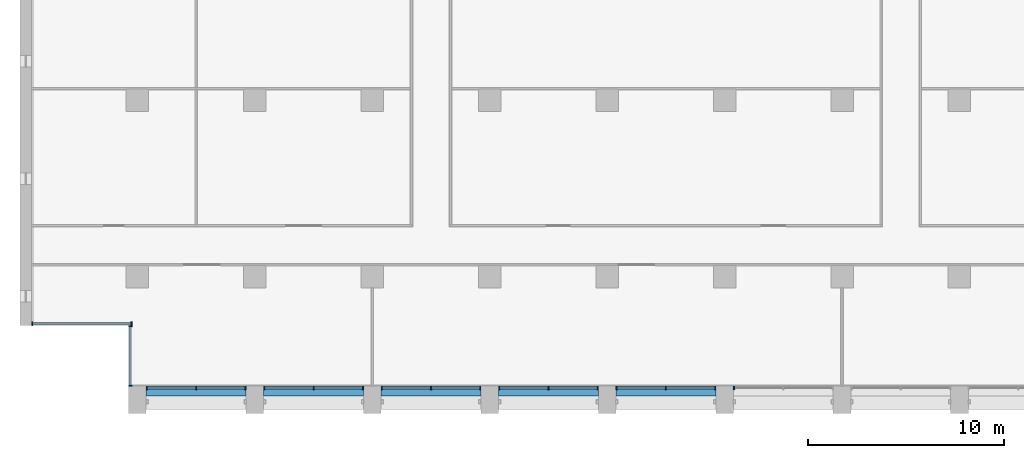
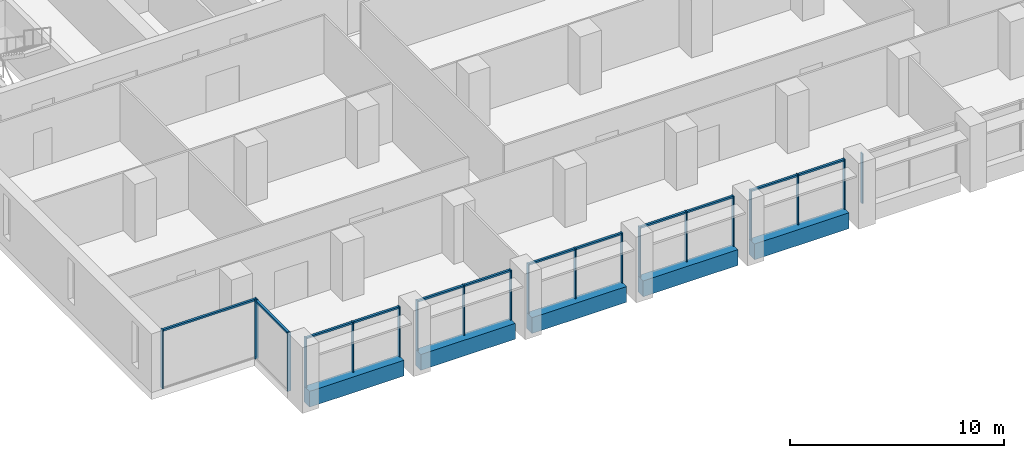
# One storey, part 2 of 16: 32 members, 5 beams, 8 elements without a shape of their own.
"""IFC4 building model written with IfcOpenShell, lengths in metres."""

from ifc_helpers import new_model, si_unit, direction, frame, origin, origin_2d, place, context, subcontext, project, spatial, rectangle, extrude, material, material_profile, profile_set, type_object, element, aggregate, save


model = new_model("IFC4")

# Units and contexts
model_context = context("Model", 3, precision=1e-05, world=origin(), true_north=direction((0.0, 1.0)))
body_context = subcontext(model_context, "Body", "Model", "MODEL_VIEW")
ifc_project = project(units=[si_unit("LENGTHUNIT", "METRE"), si_unit("AREAUNIT", "SQUARE_METRE"), si_unit("VOLUMEUNIT", "CUBIC_METRE"), si_unit("PLANEANGLEUNIT", "RADIAN"), si_unit("MASSUNIT", "GRAM", prefix="KILO")], contexts=[model_context])

# Site, building, storey
site_placement = place(None, origin())
site = spatial("IfcSite", under=ifc_project, at=site_placement, CompositionType="ELEMENT")
building_placement = place(site_placement, origin())
building = spatial("IfcBuilding", under=site, at=building_placement, Name="Calvaro Tower", CompositionType="ELEMENT")
storey_placement = place(building_placement, frame((0.0, 0.0, 181.75)))
storey = spatial("IfcBuildingStorey", under=building, at=storey_placement, Name="L45", CompositionType="ELEMENT", Elevation=181.75)

# Curtain wall, members
ifc_material_1 = material(Name="Anodised aluminium", Category="aluminium")
curtain_wall_type = type_object("IfcCurtainWallType", Name="Office curtain wall, upper zone", PredefinedType="NOTDEFINED", material=ifc_material_1)
curtain_wall_1_placement = place(storey_placement, origin())
curtain_wall_1 = element("IfcCurtainWall", 1, at=curtain_wall_1_placement, inside=storey, type_object=curtain_wall_type, Name="CW3 south curtain wall", PredefinedType="NOTDEFINED")
ifc_material_2 = material(Name="Anodised aluminium", Category="aluminium")
ifc_material_profile_1 = material_profile(ifc_material_2, rectangle(XDim=0.179931640625, YDim=0.06005859375, at=origin_2d()), Name="Mullion S3 60 x 180")
ifc_profile_set_1 = profile_set([ifc_material_profile_1], Name="Anodised aluminium")
member_type_1 = type_object("IfcMemberType", Name="Mullion S3 60 x 180", PredefinedType="MULLION", material=ifc_profile_set_1)
member_1_placement = place(storey_placement, frame((12.47998046875, 4.31005859375, 0.0), z_axis=(0.0, 0.0, 1.0), x_axis=(0.0, 1.0, 0.0)))
member_1 = element("IfcMember", 2, at=member_1_placement, type_object=member_type_1, Name="CW3 mullion 1", PredefinedType="MULLION", context=body_context, shape_type="SweptSolid", body=[
    extrude(rectangle(XDim=0.179931640625, YDim=0.06005859375, at=origin_2d()), origin(), (0.0, 0.0, 1.0), 2.85009765625),
])
member_2_placement = place(storey_placement, frame((15.0, 4.31005859375, 0.0), z_axis=(0.0, 0.0, 1.0), x_axis=(0.0, 1.0, 0.0)))
member_2 = element("IfcMember", 3, at=member_2_placement, type_object=member_type_1, Name="CW3 mullion 2", PredefinedType="MULLION", context=body_context, shape_type="SweptSolid", body=[
    extrude(rectangle(XDim=0.179931640625, YDim=0.06005859375, at=origin_2d()), origin(), (0.0, 0.0, 1.0), 2.85009765625),
])
member_3_placement = place(storey_placement, frame((17.52001953125, 4.31005859375, 0.0), z_axis=(0.0, 0.0, 1.0), x_axis=(0.0, 1.0, 0.0)))
member_3 = element("IfcMember", 4, at=member_3_placement, type_object=member_type_1, Name="CW3 mullion 3", PredefinedType="MULLION", context=body_context, shape_type="SweptSolid", body=[
    extrude(rectangle(XDim=0.179931640625, YDim=0.06005859375, at=origin_2d()), origin(), (0.0, 0.0, 1.0), 2.85009765625),
])

curtain_wall_2_placement = place(storey_placement, origin())
curtain_wall_2 = element("IfcCurtainWall", 5, at=curtain_wall_2_placement, inside=storey, type_object=curtain_wall_type, Name="CW3 south curtain wall", PredefinedType="NOTDEFINED")
member_4_placement = place(storey_placement, frame((18.47998046875, 4.31005859375, 0.0), z_axis=(0.0, 0.0, 1.0), x_axis=(0.0, 1.0, 0.0)))
member_4 = element("IfcMember", 6, at=member_4_placement, type_object=member_type_1, Name="CW3 mullion 1", PredefinedType="MULLION", context=body_context, shape_type="SweptSolid", body=[
    extrude(rectangle(XDim=0.179931640625, YDim=0.06005859375, at=origin_2d()), origin(), (0.0, 0.0, 1.0), 2.85009765625),
])
member_5_placement = place(storey_placement, frame((21.0, 4.31005859375, 0.0), z_axis=(0.0, 0.0, 1.0), x_axis=(0.0, 1.0, 0.0)))
member_5 = element("IfcMember", 7, at=member_5_placement, type_object=member_type_1, Name="CW3 mullion 2", PredefinedType="MULLION", context=body_context, shape_type="SweptSolid", body=[
    extrude(rectangle(XDim=0.179931640625, YDim=0.06005859375, at=origin_2d()), origin(), (0.0, 0.0, 1.0), 2.85009765625),
])
member_6_placement = place(storey_placement, frame((23.52001953125, 4.31005859375, 0.0), z_axis=(0.0, 0.0, 1.0), x_axis=(0.0, 1.0, 0.0)))
member_6 = element("IfcMember", 8, at=member_6_placement, type_object=member_type_1, Name="CW3 mullion 3", PredefinedType="MULLION", context=body_context, shape_type="SweptSolid", body=[
    extrude(rectangle(XDim=0.179931640625, YDim=0.06005859375, at=origin_2d()), origin(), (0.0, 0.0, 1.0), 2.85009765625),
])

curtain_wall_3_placement = place(storey_placement, origin())
curtain_wall_3 = element("IfcCurtainWall", 9, at=curtain_wall_3_placement, inside=storey, type_object=curtain_wall_type, Name="CW3 south curtain wall", PredefinedType="NOTDEFINED")
member_7_placement = place(storey_placement, frame((24.47998046875, 4.31005859375, 0.0), z_axis=(0.0, 0.0, 1.0), x_axis=(0.0, 1.0, 0.0)))
member_7 = element("IfcMember", 10, at=member_7_placement, type_object=member_type_1, Name="CW3 mullion 1", PredefinedType="MULLION", context=body_context, shape_type="SweptSolid", body=[
    extrude(rectangle(XDim=0.179931640625, YDim=0.06005859375, at=origin_2d()), origin(), (0.0, 0.0, 1.0), 2.85009765625),
])
member_8_placement = place(storey_placement, frame((27.0, 4.31005859375, 0.0), z_axis=(0.0, 0.0, 1.0), x_axis=(0.0, 1.0, 0.0)))
member_8 = element("IfcMember", 11, at=member_8_placement, type_object=member_type_1, Name="CW3 mullion 2", PredefinedType="MULLION", context=body_context, shape_type="SweptSolid", body=[
    extrude(rectangle(XDim=0.179931640625, YDim=0.06005859375, at=origin_2d()), origin(), (0.0, 0.0, 1.0), 2.85009765625),
])
member_9_placement = place(storey_placement, frame((29.52001953125, 4.31005859375, 0.0), z_axis=(0.0, 0.0, 1.0), x_axis=(0.0, 1.0, 0.0)))
member_9 = element("IfcMember", 12, at=member_9_placement, type_object=member_type_1, Name="CW3 mullion 3", PredefinedType="MULLION", context=body_context, shape_type="SweptSolid", body=[
    extrude(rectangle(XDim=0.179931640625, YDim=0.06005859375, at=origin_2d()), origin(), (0.0, 0.0, 1.0), 2.85009765625),
])

curtain_wall_4_placement = place(storey_placement, origin())
curtain_wall_4 = element("IfcCurtainWall", 13, at=curtain_wall_4_placement, inside=storey, type_object=curtain_wall_type, Name="CW3 south curtain wall", PredefinedType="NOTDEFINED")
member_10_placement = place(storey_placement, frame((30.47998046875, 4.31005859375, 0.0), z_axis=(0.0, 0.0, 1.0), x_axis=(0.0, 1.0, 0.0)))
member_10 = element("IfcMember", 14, at=member_10_placement, type_object=member_type_1, Name="CW3 mullion 1", PredefinedType="MULLION", context=body_context, shape_type="SweptSolid", body=[
    extrude(rectangle(XDim=0.179931640625, YDim=0.06005859375, at=origin_2d()), origin(), (0.0, 0.0, 1.0), 2.85009765625),
])
member_11_placement = place(storey_placement, frame((33.0, 4.31005859375, 0.0), z_axis=(0.0, 0.0, 1.0), x_axis=(0.0, 1.0, 0.0)))
member_11 = element("IfcMember", 15, at=member_11_placement, type_object=member_type_1, Name="CW3 mullion 2", PredefinedType="MULLION", context=body_context, shape_type="SweptSolid", body=[
    extrude(rectangle(XDim=0.179931640625, YDim=0.06005859375, at=origin_2d()), origin(), (0.0, 0.0, 1.0), 2.85009765625),
])
member_12_placement = place(storey_placement, frame((35.52001953125, 4.31005859375, 0.0), z_axis=(0.0, 0.0, 1.0), x_axis=(0.0, 1.0, 0.0)))
member_12 = element("IfcMember", 16, at=member_12_placement, type_object=member_type_1, Name="CW3 mullion 3", PredefinedType="MULLION", context=body_context, shape_type="SweptSolid", body=[
    extrude(rectangle(XDim=0.179931640625, YDim=0.06005859375, at=origin_2d()), origin(), (0.0, 0.0, 1.0), 2.85009765625),
])

curtain_wall_5_placement = place(storey_placement, origin())
curtain_wall_5 = element("IfcCurtainWall", 17, at=curtain_wall_5_placement, inside=storey, type_object=curtain_wall_type, Name="CW3 south curtain wall", PredefinedType="NOTDEFINED")
member_13_placement = place(storey_placement, frame((36.47998046875, 4.31005859375, 0.0), z_axis=(0.0, 0.0, 1.0), x_axis=(0.0, 1.0, 0.0)))
member_13 = element("IfcMember", 18, at=member_13_placement, type_object=member_type_1, Name="CW3 mullion 1", PredefinedType="MULLION", context=body_context, shape_type="SweptSolid", body=[
    extrude(rectangle(XDim=0.179931640625, YDim=0.06005859375, at=origin_2d()), origin(), (0.0, 0.0, 1.0), 2.85009765625),
])
member_14_placement = place(storey_placement, frame((39.0, 4.31005859375, 0.0), z_axis=(0.0, 0.0, 1.0), x_axis=(0.0, 1.0, 0.0)))
member_14 = element("IfcMember", 19, at=member_14_placement, type_object=member_type_1, Name="CW3 mullion 2", PredefinedType="MULLION", context=body_context, shape_type="SweptSolid", body=[
    extrude(rectangle(XDim=0.179931640625, YDim=0.06005859375, at=origin_2d()), origin(), (0.0, 0.0, 1.0), 2.85009765625),
])
member_15_placement = place(storey_placement, frame((41.52001953125, 4.31005859375, 0.0), z_axis=(0.0, 0.0, 1.0), x_axis=(0.0, 1.0, 0.0)))
member_15 = element("IfcMember", 20, at=member_15_placement, type_object=member_type_1, Name="CW3 mullion 3", PredefinedType="MULLION", context=body_context, shape_type="SweptSolid", body=[
    extrude(rectangle(XDim=0.179931640625, YDim=0.06005859375, at=origin_2d()), origin(), (0.0, 0.0, 1.0), 2.85009765625),
])

# Curtain wall, member
curtain_wall_6_placement = place(storey_placement, origin())
curtain_wall_6 = element("IfcCurtainWall", 21, at=curtain_wall_6_placement, inside=storey, type_object=curtain_wall_type, Name="CW3 south curtain wall", PredefinedType="NOTDEFINED")
member_16_placement = place(storey_placement, frame((42.47998046875, 4.31005859375, 0.0), z_axis=(0.0, 0.0, 1.0), x_axis=(0.0, 1.0, 0.0)))
member_16 = element("IfcMember", 22, at=member_16_placement, type_object=member_type_1, Name="CW3 mullion 1", PredefinedType="MULLION", context=body_context, shape_type="SweptSolid", body=[
    extrude(rectangle(XDim=0.179931640625, YDim=0.06005859375, at=origin_2d()), origin(), (0.0, 0.0, 1.0), 2.85009765625),
])
aggregate(curtain_wall_6, [member_16])

# Curtain wall, members
curtain_wall_7_placement = place(storey_placement, origin())
curtain_wall_7 = element("IfcCurtainWall", 23, at=curtain_wall_7_placement, inside=storey, type_object=curtain_wall_type, Name="CW3 corner curtain wall", PredefinedType="NOTDEFINED")
member_17_placement = place(storey_placement, frame((11.639892578125, 4.429931640625, 0.0), z_axis=(0.0, 0.0, 1.0), x_axis=(-1.0, 0.0, 0.0)))
member_17 = element("IfcMember", 24, at=member_17_placement, type_object=member_type_1, Name="CW3 mullion 1", PredefinedType="MULLION", context=body_context, shape_type="SweptSolid", body=[
    extrude(rectangle(XDim=0.179931640625, YDim=0.06005859375, at=origin_2d()), origin(), (0.0, 0.0, 1.0), 3.35009765625),
])
member_18_placement = place(storey_placement, frame((11.639892578125, 7.469970703125, 0.0), z_axis=(0.0, 0.0, 1.0), x_axis=(-1.0, 0.0, 0.0)))
member_18 = element("IfcMember", 25, at=member_18_placement, type_object=member_type_1, Name="CW3 mullion 2", PredefinedType="MULLION", context=body_context, shape_type="SweptSolid", body=[
    extrude(rectangle(XDim=0.179931640625, YDim=0.06005859375, at=origin_2d()), origin(), (0.0, 0.0, 1.0), 3.35009765625),
])

curtain_wall_8_placement = place(storey_placement, origin())
curtain_wall_8 = element("IfcCurtainWall", 26, at=curtain_wall_8_placement, inside=storey, type_object=curtain_wall_type, Name="CW3 corner curtain wall", PredefinedType="NOTDEFINED")
member_19_placement = place(storey_placement, frame((6.6298828125, 7.590087890625, 0.0), z_axis=(0.0, 0.0, 1.0), x_axis=(0.0, 1.0, 0.0)))
member_19 = element("IfcMember", 27, at=member_19_placement, type_object=member_type_1, Name="CW3 mullion 1", PredefinedType="MULLION", context=body_context, shape_type="SweptSolid", body=[
    extrude(rectangle(XDim=0.179931640625, YDim=0.06005859375, at=origin_2d()), origin(), (0.0, 0.0, 1.0), 3.35009765625),
])
member_20_placement = place(storey_placement, frame((11.699951171875, 7.590087890625, 0.0), z_axis=(0.0, 0.0, 1.0), x_axis=(0.0, 1.0, 0.0)))
member_20 = element("IfcMember", 28, at=member_20_placement, type_object=member_type_1, Name="CW3 mullion 2", PredefinedType="MULLION", context=body_context, shape_type="SweptSolid", body=[
    extrude(rectangle(XDim=0.179931640625, YDim=0.06005859375, at=origin_2d()), origin(), (0.0, 0.0, 1.0), 3.35009765625),
])

# Beams
ifc_material_3 = material(Name="Concrete C50/60 precast", Category="concrete")
ifc_material_profile_2 = material_profile(ifc_material_3, rectangle(XDim=0.5, YDim=0.89990234375, at=origin_2d()), Name="RC 500x900")
ifc_profile_set_2 = profile_set([ifc_material_profile_2], Name="Concrete C50/60 precast")
beam_type = type_object("IfcBeamType", Name="Spandrel beam 500x900 C50/60", PredefinedType="SPANDREL", material=ifc_profile_set_2)
for number, where, z_axis, x_axis, name in (
    (29, (12.449951171875, 4.14990234375, -0.449951171875), (1.0, 0.0, 0.0), (0.0, 1.0, 0.0), "Spandrel beam"),
    (30, (18.449951171875, 4.14990234375, -0.449951171875), (1.0, 0.0, 0.0), (0.0, 1.0, 0.0), "Spandrel beam"),
    (31, (24.449951171875, 4.14990234375, -0.449951171875), (1.0, 0.0, 0.0), (0.0, 1.0, 0.0), "Spandrel beam"),
    (32, (30.449951171875, 4.14990234375, -0.449951171875), (1.0, 0.0, 0.0), (0.0, 1.0, 0.0), "Spandrel beam"),
    (33, (36.449951171875, 4.14990234375, -0.449951171875), (1.0, 0.0, 0.0), (0.0, 1.0, 0.0), "Spandrel beam"),
):
    element("IfcBeam", number, at=place(storey_placement, frame(where, z_axis=z_axis, x_axis=x_axis)), inside=storey, type_object=beam_type, Name=name, PredefinedType="SPANDREL", context=body_context, shape_type="SweptSolid", body=[
        extrude(rectangle(XDim=0.5, YDim=0.89990234375, at=origin_2d()), origin(), (0.0, 0.0, 1.0), 5.10009765625),
    ])

# Member
ifc_material_4 = material(Name="Anodised aluminium", Category="aluminium")
ifc_material_profile_3 = material_profile(ifc_material_4, rectangle(XDim=0.1201171875, YDim=0.10009765625, at=origin_2d()), Name="Transom S3 100 x 120")
ifc_profile_set_3 = profile_set([ifc_material_profile_3], Name="Anodised aluminium")
member_type_2 = type_object("IfcMemberType", Name="Transom S3 100 x 120", PredefinedType="USERDEFINED", material=ifc_profile_set_3)
member_21_placement = place(storey_placement, frame((12.510009765625, 4.31005859375, 2.800048828125), z_axis=(1.0, 0.0, 0.0), x_axis=(0.0, 1.0, 0.0)))
member_21 = element("IfcMember", 34, at=member_21_placement, type_object=member_type_2, Name="CW3 transom 1.1", ObjectType="TRANSOM", PredefinedType="USERDEFINED", context=body_context, shape_type="SweptSolid", body=[
    extrude(rectangle(XDim=0.1201171875, YDim=0.10009765625, at=origin_2d()), origin(), (0.0, 0.0, 1.0), 2.4599609375),
])

member_22_placement = place(storey_placement, frame((15.030029296875, 4.31005859375, 2.800048828125), z_axis=(1.0, 0.0, 0.0), x_axis=(0.0, 1.0, 0.0)))
member_22 = element("IfcMember", 35, at=member_22_placement, type_object=member_type_2, Name="CW3 transom 2.1", ObjectType="TRANSOM", PredefinedType="USERDEFINED", context=body_context, shape_type="SweptSolid", body=[
    extrude(rectangle(XDim=0.1201171875, YDim=0.10009765625, at=origin_2d()), origin(), (0.0, 0.0, 1.0), 2.4599609375),
])

aggregate(curtain_wall_1, [member_1, member_2, member_3, member_21, member_22])

member_23_placement = place(storey_placement, frame((18.510009765625, 4.31005859375, 2.800048828125), z_axis=(1.0, 0.0, 0.0), x_axis=(0.0, 1.0, 0.0)))
member_23 = element("IfcMember", 36, at=member_23_placement, type_object=member_type_2, Name="CW3 transom 1.1", ObjectType="TRANSOM", PredefinedType="USERDEFINED", context=body_context, shape_type="SweptSolid", body=[
    extrude(rectangle(XDim=0.1201171875, YDim=0.10009765625, at=origin_2d()), origin(), (0.0, 0.0, 1.0), 2.4599609375),
])

member_24_placement = place(storey_placement, frame((21.030029296875, 4.31005859375, 2.800048828125), z_axis=(1.0, 0.0, 0.0), x_axis=(0.0, 1.0, 0.0)))
member_24 = element("IfcMember", 37, at=member_24_placement, type_object=member_type_2, Name="CW3 transom 2.1", ObjectType="TRANSOM", PredefinedType="USERDEFINED", context=body_context, shape_type="SweptSolid", body=[
    extrude(rectangle(XDim=0.1201171875, YDim=0.10009765625, at=origin_2d()), origin(), (0.0, 0.0, 1.0), 2.4599609375),
])

aggregate(curtain_wall_2, [member_4, member_5, member_6, member_23, member_24])

member_25_placement = place(storey_placement, frame((24.510009765625, 4.31005859375, 2.800048828125), z_axis=(1.0, 0.0, 0.0), x_axis=(0.0, 1.0, 0.0)))
member_25 = element("IfcMember", 38, at=member_25_placement, type_object=member_type_2, Name="CW3 transom 1.1", ObjectType="TRANSOM", PredefinedType="USERDEFINED", context=body_context, shape_type="SweptSolid", body=[
    extrude(rectangle(XDim=0.1201171875, YDim=0.10009765625, at=origin_2d()), origin(), (0.0, 0.0, 1.0), 2.4599609375),
])

member_26_placement = place(storey_placement, frame((27.030029296875, 4.31005859375, 2.800048828125), z_axis=(1.0, 0.0, 0.0), x_axis=(0.0, 1.0, 0.0)))
member_26 = element("IfcMember", 39, at=member_26_placement, type_object=member_type_2, Name="CW3 transom 2.1", ObjectType="TRANSOM", PredefinedType="USERDEFINED", context=body_context, shape_type="SweptSolid", body=[
    extrude(rectangle(XDim=0.1201171875, YDim=0.10009765625, at=origin_2d()), origin(), (0.0, 0.0, 1.0), 2.4599609375),
])

aggregate(curtain_wall_3, [member_7, member_8, member_9, member_25, member_26])

member_27_placement = place(storey_placement, frame((30.510009765625, 4.31005859375, 2.800048828125), z_axis=(1.0, 0.0, 0.0), x_axis=(0.0, 1.0, 0.0)))
member_27 = element("IfcMember", 40, at=member_27_placement, type_object=member_type_2, Name="CW3 transom 1.1", ObjectType="TRANSOM", PredefinedType="USERDEFINED", context=body_context, shape_type="SweptSolid", body=[
    extrude(rectangle(XDim=0.1201171875, YDim=0.10009765625, at=origin_2d()), origin(), (0.0, 0.0, 1.0), 2.4599609375),
])

member_28_placement = place(storey_placement, frame((33.030029296875, 4.31005859375, 2.800048828125), z_axis=(1.0, 0.0, 0.0), x_axis=(0.0, 1.0, 0.0)))
member_28 = element("IfcMember", 41, at=member_28_placement, type_object=member_type_2, Name="CW3 transom 2.1", ObjectType="TRANSOM", PredefinedType="USERDEFINED", context=body_context, shape_type="SweptSolid", body=[
    extrude(rectangle(XDim=0.1201171875, YDim=0.10009765625, at=origin_2d()), origin(), (0.0, 0.0, 1.0), 2.4599609375),
])

aggregate(curtain_wall_4, [member_10, member_11, member_12, member_27, member_28])

member_29_placement = place(storey_placement, frame((36.510009765625, 4.31005859375, 2.800048828125), z_axis=(1.0, 0.0, 0.0), x_axis=(0.0, 1.0, 0.0)))
member_29 = element("IfcMember", 42, at=member_29_placement, type_object=member_type_2, Name="CW3 transom 1.1", ObjectType="TRANSOM", PredefinedType="USERDEFINED", context=body_context, shape_type="SweptSolid", body=[
    extrude(rectangle(XDim=0.1201171875, YDim=0.10009765625, at=origin_2d()), origin(), (0.0, 0.0, 1.0), 2.4599609375),
])

member_30_placement = place(storey_placement, frame((39.030029296875, 4.31005859375, 2.800048828125), z_axis=(1.0, 0.0, 0.0), x_axis=(0.0, 1.0, 0.0)))
member_30 = element("IfcMember", 43, at=member_30_placement, type_object=member_type_2, Name="CW3 transom 2.1", ObjectType="TRANSOM", PredefinedType="USERDEFINED", context=body_context, shape_type="SweptSolid", body=[
    extrude(rectangle(XDim=0.1201171875, YDim=0.10009765625, at=origin_2d()), origin(), (0.0, 0.0, 1.0), 2.4599609375),
])

aggregate(curtain_wall_5, [member_13, member_14, member_15, member_29, member_30])

member_31_placement = place(storey_placement, frame((11.639892578125, 4.4599609375, 3.300048828125), z_axis=(0.0, 1.0, 0.0), x_axis=(-1.0, 0.0, 0.0)))
member_31 = element("IfcMember", 44, at=member_31_placement, type_object=member_type_2, Name="CW3 transom 1.1", ObjectType="TRANSOM", PredefinedType="USERDEFINED", context=body_context, shape_type="SweptSolid", body=[
    extrude(rectangle(XDim=0.1201171875, YDim=0.10009765625, at=origin_2d()), origin(), (0.0, 0.0, 1.0), 2.97998046875),
])

aggregate(curtain_wall_7, [member_17, member_18, member_31])

member_32_placement = place(storey_placement, frame((6.659912109375, 7.590087890625, 3.300048828125), z_axis=(1.0, 0.0, 0.0), x_axis=(0.0, 1.0, 0.0)))
member_32 = element("IfcMember", 45, at=member_32_placement, type_object=member_type_2, Name="CW3 transom 1.1", ObjectType="TRANSOM", PredefinedType="USERDEFINED", context=body_context, shape_type="SweptSolid", body=[
    extrude(rectangle(XDim=0.1201171875, YDim=0.10009765625, at=origin_2d()), origin(), (0.0, 0.0, 1.0), 5.010009765625),
])

aggregate(curtain_wall_8, [member_19, member_20, member_32])

save(model, "model.ifc")
